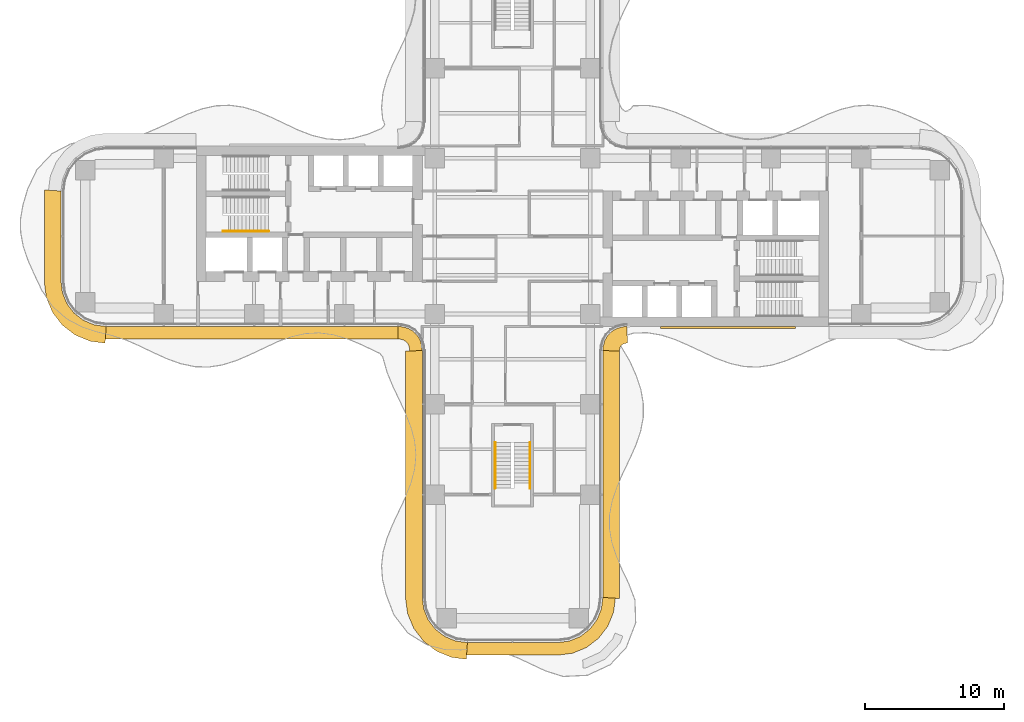
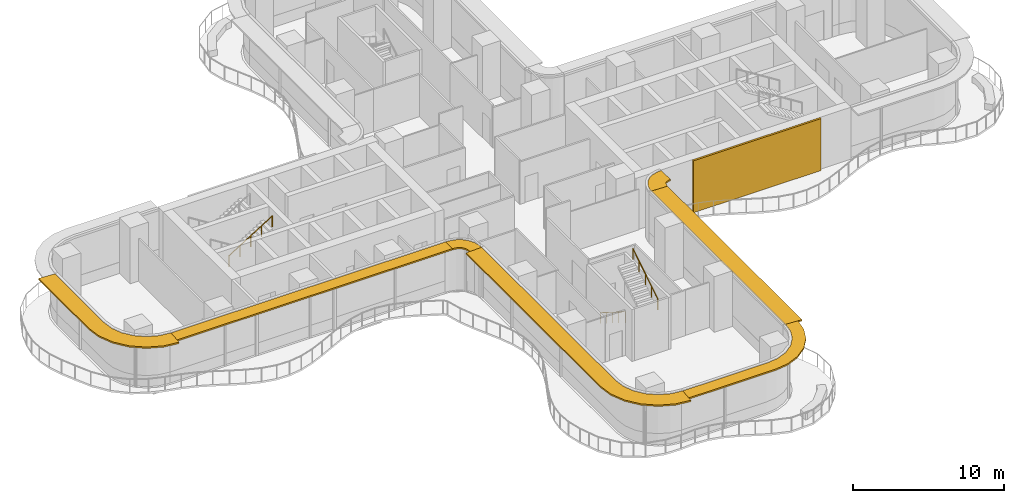
# One storey, part 21 of 22: 7 shading devices, 3 railings, 1 covering.
"""IFC4 building model written with IfcOpenShell, lengths in metres."""

from ifc_helpers import new_model, si_unit, direction, frame, origin, origin_2d, place, context, subcontext, project, spatial, polyline, circle, outline, extrude, source, transform, mapped, material, layer, layer_set, type_object, element, save


model = new_model("IFC4")

# Units and contexts
model_context = context("Model", 3, precision=1e-05, world=origin(), true_north=direction((0.0, 1.0)))
body_context = subcontext(model_context, "Body", "Model", "MODEL_VIEW")
ifc_project = project(units=[si_unit("LENGTHUNIT", "METRE"), si_unit("AREAUNIT", "SQUARE_METRE"), si_unit("VOLUMEUNIT", "CUBIC_METRE"), si_unit("PLANEANGLEUNIT", "RADIAN"), si_unit("MASSUNIT", "GRAM", prefix="KILO")], contexts=[model_context])

# Site, building, storey
site_placement = place(None, origin())
site = spatial("IfcSite", under=ifc_project, at=site_placement, CompositionType="ELEMENT")
building_placement = place(site_placement, origin())
building = spatial("IfcBuilding", under=site, at=building_placement, Name="Trellis Farm Tower", CompositionType="ELEMENT")
storey_placement = place(building_placement, frame((0.0, 0.0, 88.0)))
storey = spatial("IfcBuildingStorey", under=building, at=storey_placement, Name="L18", CompositionType="ELEMENT", Elevation=88.0)

# Covering
ifc_material_1 = material(Name="Perforated precast screen (cobogo)", Category="concrete")
ifc_layer_1 = layer(ifc_material_1, 0.14990234375)
ifc_layer_set_1 = layer_set([ifc_layer_1], Name="COBOGO SCREEN PANEL")
covering_type = type_object("IfcCoveringType", Name="COBOGO SCREEN PANEL", PredefinedType="USERDEFINED", material=ifc_layer_set_1)
covering_placement = place(storey_placement, origin())
element("IfcCovering", 1, at=covering_placement, inside=storey, type_object=covering_type, Name="SC1 01", ObjectType="SCREEN", PredefinedType="USERDEFINED", context=body_context, shape_type="SweptSolid", body=[
    extrude(outline(polyline([(10.630615234375, -6.64990234375), (20.380615234375, -6.64990234375), (20.380615234375, -6.5), (10.630615234375, -6.5), (10.630615234375, -6.64990234375)])), origin(), (0.0, 0.0, 1.0), 4.199951171875),
])

# Railings
ifc_material_2 = material(Name="Stainless steel", Category="steel")
railing_type = type_object("IfcRailingType", Name="STAIR HANDRAIL 900", PredefinedType="HANDRAIL", material=ifc_material_2)
shared_shape_1 = source(origin(), body_context, "Body", "SweptSolid", [
    extrude(circle(Radius=0.02392578125, at=origin_2d()), frame((0.0, 0.0, 0.8759765625), z_axis=(0.0, 0.846319618018, 0.532675421018), x_axis=(-1.0, 0.0, 0.0)), (0.0, 0.0, 1.0), 3.89892578125),
    extrude(circle(Radius=0.02099609375, at=origin_2d()), origin(), (0.0, 0.0, 1.0), 0.851806640625),
    extrude(circle(Radius=0.02099609375, at=origin_2d()), frame((0.0, 0.824951171875, 0.519287109375)), (0.0, 0.0, 1.0), 0.851806640625),
    extrude(circle(Radius=0.02099609375, at=origin_2d()), frame((0.0, 1.64990234375, 1.03857421875)), (0.0, 0.0, 1.0), 0.851806640625),
    extrude(circle(Radius=0.02099609375, at=origin_2d()), frame((0.0, 2.474853515625, 1.5576171875)), (0.0, 0.0, 1.0), 0.851806640625),
    extrude(circle(Radius=0.02099609375, at=origin_2d()), frame((0.0, 3.2998046875, 2.076904296875)), (0.0, 0.0, 1.0), 0.851806640625),
])
railing_1_placement = place(storey_placement, frame((1.25, -18.14990234375, 2.423095703125)))
element("IfcRailing", 2, at=railing_1_placement, inside=storey, type_object=railing_type, Name="Stair handrail", PredefinedType="HANDRAIL", context=body_context, shape_type="MappedRepresentation", body=[
    mapped(shared_shape_1, transform((0.0, 0.0, 0.0))),
])
shared_shape_2 = source(origin(), body_context, "Body", "SweptSolid", [
    extrude(circle(Radius=0.02392578125, at=origin_2d()), frame((0.0, 0.0, 0.8759765625), z_axis=(0.0, -0.846319618018, 0.532675421018), x_axis=(1.0, 0.0, 0.0)), (0.0, 0.0, 1.0), 3.89892578125),
    extrude(circle(Radius=0.02099609375, at=origin_2d()), origin(), (0.0, 0.0, 1.0), 0.851806640625),
    extrude(circle(Radius=0.02099609375, at=origin_2d()), frame((0.0, -0.824951171875, 0.519287109375)), (0.0, 0.0, 1.0), 0.851806640625),
    extrude(circle(Radius=0.02099609375, at=origin_2d()), frame((0.0, -1.64990234375, 1.03857421875)), (0.0, 0.0, 1.0), 0.851806640625),
    extrude(circle(Radius=0.02099609375, at=origin_2d()), frame((0.0, -2.474853515625, 1.5576171875)), (0.0, 0.0, 1.0), 0.851806640625),
    extrude(circle(Radius=0.02099609375, at=origin_2d()), frame((0.0, -3.2998046875, 2.076904296875)), (0.0, 0.0, 1.0), 0.851806640625),
])
railing_2_placement = place(storey_placement, frame((-1.25, -14.85009765625, 0.173095703125)))
element("IfcRailing", 3, at=railing_2_placement, inside=storey, type_object=railing_type, Name="Stair handrail", PredefinedType="HANDRAIL", context=body_context, shape_type="MappedRepresentation", body=[
    mapped(shared_shape_2, transform((0.0, 0.0, 0.0))),
])
shared_shape_3 = source(origin(), body_context, "Body", "SweptSolid", [
    extrude(circle(Radius=0.02392578125, at=origin_2d()), frame((0.0, 0.0, 0.8759765625), z_axis=(0.846337383501, 0.0, 0.532647194011), x_axis=(0.0, 1.0, 0.0)), (0.0, 0.0, 1.0), 3.899169921875),
    extrude(circle(Radius=0.02099609375, at=origin_2d()), origin(), (0.0, 0.0, 1.0), 0.851806640625),
    extrude(circle(Radius=0.02099609375, at=origin_2d()), frame((0.824951171875, 0.0, 0.519287109375)), (0.0, 0.0, 1.0), 0.851806640625),
    extrude(circle(Radius=0.02099609375, at=origin_2d()), frame((1.64990234375, 0.0, 1.03857421875)), (0.0, 0.0, 1.0), 0.851806640625),
    extrude(circle(Radius=0.02099609375, at=origin_2d()), frame((2.47509765625, 0.0, 1.5576171875)), (0.0, 0.0, 1.0), 0.851806640625),
    extrude(circle(Radius=0.02099609375, at=origin_2d()), frame((3.300048828125, 0.0, 2.076904296875)), (0.0, 0.0, 1.0), 0.851806640625),
])
railing_3_placement = place(storey_placement, frame((-20.85009765625, 0.35009765625, 2.423095703125)))
element("IfcRailing", 4, at=railing_3_placement, inside=storey, type_object=railing_type, Name="Stair handrail", PredefinedType="HANDRAIL", context=body_context, shape_type="MappedRepresentation", body=[
    mapped(shared_shape_3, transform((0.0, 0.0, 0.0))),
])

# Shading devices
ifc_material_3 = material(Name="Aluminium extrusion 6063-T6", Category="aluminium")
ifc_layer_2 = layer(ifc_material_3, 0.1201171875)
ifc_layer_set_2 = layer_set([ifc_layer_2], Name="SUNSHADE BLADE 900")
shading_device_type_1 = type_object("IfcShadingDeviceType", Name="SUNSHADE BLADE 900", PredefinedType="USERDEFINED", material=ifc_layer_set_2)
shared_shape_4 = source(origin(), body_context, "Body", "SweptSolid", [
    extrude(outline(polyline([(-29.30908203125, -7.39990234375), (-8.2607421875, -7.39990234375), (-8.2314453125, -6.5), (-29.25, -6.5), (-29.30908203125, -7.39990234375)])), origin(), (0.0, 0.0, 1.0), 0.119873046875),
])
placement = place(storey_placement, frame((0.0, 0.0, 4.0400390625)))
element("IfcShadingDevice", 5, at=placement, inside=storey, type_object=shading_device_type_1, Name="SD1 001", ObjectType="SUNSHADE", PredefinedType="USERDEFINED", context=body_context, shape_type="MappedRepresentation", body=[
    mapped(shared_shape_4, transform((0.0, 0.0, 0.0))),
])
shared_shape_5 = source(origin(), body_context, "Body", "SweptSolid", [
    extrude(outline(polyline([(-8.2607421875, -7.39990234375), (-8.107666015625, -7.409912109375), (-8.091552734375, -7.412109375), (-7.85595703125, -7.475341796875), (-7.697021484375, -7.567138671875), (-7.567138671875, -7.697021484375), (-7.475341796875, -7.85595703125), (-7.412109375, -8.091552734375), (-7.409912109375, -8.107666015625), (-7.39990234375, -8.2607421875), (-6.5, -8.2314453125), (-6.513916015625, -8.01953125), (-6.527587890625, -7.91552734375), (-6.63671875, -7.508544921875), (-6.846923828125, -7.144287109375), (-7.144287109375, -6.846923828125), (-7.508544921875, -6.63671875), (-7.91552734375, -6.527587890625), (-8.01953125, -6.513916015625), (-8.2314453125, -6.5), (-8.2607421875, -7.39990234375)])), origin(), (0.0, 0.0, 1.0), 0.119873046875),
])
element("IfcShadingDevice", 6, at=placement, inside=storey, type_object=shading_device_type_1, Name="SD1 002", ObjectType="SUNSHADE", PredefinedType="USERDEFINED", context=body_context, shape_type="MappedRepresentation", body=[
    mapped(shared_shape_5, transform((0.0, 0.0, 0.0))),
])
ifc_layer_3 = layer(ifc_material_3, 0.1201171875)
ifc_layer_set_3 = layer_set([ifc_layer_3], Name="SUNSHADE BLADE 1200")
shading_device_type_2 = type_object("IfcShadingDeviceType", Name="SUNSHADE BLADE 1200", PredefinedType="USERDEFINED", material=ifc_layer_set_3)
shared_shape_6 = source(origin(), body_context, "Body", "SweptSolid", [
    extrude(outline(polyline([(-7.699951171875, -8.270751953125), (-7.699951171875, -26.07861328125), (-7.558349609375, -27.154541015625), (-7.11279296875, -28.230224609375), (-6.404052734375, -29.154052734375), (-5.480224609375, -29.86279296875), (-4.404541015625, -30.308349609375), (-3.32861328125, -30.449951171875), (-3.25, -29.25), (-4.091064453125, -29.13916015625), (-4.875, -28.814697265625), (-5.548095703125, -28.298095703125), (-6.064697265625, -27.625), (-6.38916015625, -26.841064453125), (-6.5, -26.0), (-6.5, -8.2314453125), (-7.699951171875, -8.270751953125)])), origin(), (0.0, 0.0, 1.0), 0.119873046875),
])
element("IfcShadingDevice", 7, at=placement, inside=storey, type_object=shading_device_type_2, Name="SD2 003", ObjectType="SUNSHADE", PredefinedType="USERDEFINED", context=body_context, shape_type="MappedRepresentation", body=[
    mapped(shared_shape_6, transform((0.0, 0.0, 0.0))),
])
shared_shape_7 = source(origin(), body_context, "Body", "SweptSolid", [
    extrude(outline(polyline([(-3.30908203125, -30.14990234375), (3.30908203125, -30.14990234375), (4.326171875, -30.01611328125), (5.328857421875, -29.600830078125), (6.18994140625, -28.93994140625), (6.850830078125, -28.078857421875), (7.26611328125, -27.076171875), (7.39990234375, -26.05908203125), (6.5, -26.0), (6.38916015625, -26.841064453125), (6.064697265625, -27.625), (5.548095703125, -28.298095703125), (4.875, -28.814697265625), (4.091064453125, -29.13916015625), (3.25, -29.25), (-3.25, -29.25), (-3.30908203125, -30.14990234375)])), origin(), (0.0, 0.0, 1.0), 0.119873046875),
])
element("IfcShadingDevice", 8, at=placement, inside=storey, type_object=shading_device_type_1, Name="SD1 004", ObjectType="SUNSHADE", PredefinedType="USERDEFINED", context=body_context, shape_type="MappedRepresentation", body=[
    mapped(shared_shape_7, transform((0.0, 0.0, 0.0))),
])
shared_shape_8 = source(origin(), body_context, "Body", "SweptSolid", [
    extrude(outline(polyline([(7.699951171875, -26.07861328125), (7.699951171875, -8.270751953125), (6.5, -8.2314453125), (6.5, -26.0), (7.699951171875, -26.07861328125)])), origin(), (0.0, 0.0, 1.0), 0.119873046875),
])
element("IfcShadingDevice", 9, at=placement, inside=storey, type_object=shading_device_type_2, Name="SD2 005", ObjectType="SUNSHADE", PredefinedType="USERDEFINED", context=body_context, shape_type="MappedRepresentation", body=[
    mapped(shared_shape_8, transform((0.0, 0.0, 0.0))),
])
shared_shape_9 = source(origin(), body_context, "Body", "SweptSolid", [
    extrude(outline(polyline([(7.699951171875, -8.270751953125), (7.708740234375, -8.13720703125), (7.70703125, -8.150146484375), (7.7548828125, -7.9716796875), (7.80712890625, -7.881103515625), (7.881103515625, -7.80712890625), (7.9716796875, -7.7548828125), (8.150146484375, -7.70703125), (8.13720703125, -7.708740234375), (8.270751953125, -7.699951171875), (8.2314453125, -6.5), (8.01953125, -6.513916015625), (7.91552734375, -6.527587890625), (7.508544921875, -6.63671875), (7.144287109375, -6.846923828125), (6.846923828125, -7.144287109375), (6.63671875, -7.508544921875), (6.527587890625, -7.91552734375), (6.513916015625, -8.01953125), (6.5, -8.2314453125), (7.699951171875, -8.270751953125)])), origin(), (0.0, 0.0, 1.0), 0.119873046875),
])
element("IfcShadingDevice", 10, at=placement, inside=storey, type_object=shading_device_type_2, Name="SD2 006", ObjectType="SUNSHADE", PredefinedType="USERDEFINED", context=body_context, shape_type="MappedRepresentation", body=[
    mapped(shared_shape_9, transform((0.0, 0.0, 0.0))),
])
shared_shape_10 = source(origin(), body_context, "Body", "SweptSolid", [
    extrude(outline(polyline([(-33.699951171875, 3.32861328125), (-33.699951171875, -3.32861328125), (-33.558349609375, -4.404541015625), (-33.11279296875, -5.480224609375), (-32.404052734375, -6.404052734375), (-31.480224609375, -7.11279296875), (-30.404541015625, -7.558349609375), (-29.32861328125, -7.699951171875), (-29.25, -6.5), (-30.091064453125, -6.38916015625), (-30.875, -6.064697265625), (-31.548095703125, -5.548095703125), (-32.064697265625, -4.875), (-32.38916015625, -4.091064453125), (-32.5, -3.25), (-32.5, 3.25), (-33.699951171875, 3.32861328125)])), origin(), (0.0, 0.0, 1.0), 0.119873046875),
])
element("IfcShadingDevice", 11, at=placement, inside=storey, type_object=shading_device_type_2, Name="SD2 016", ObjectType="SUNSHADE", PredefinedType="USERDEFINED", context=body_context, shape_type="MappedRepresentation", body=[
    mapped(shared_shape_10, transform((0.0, 0.0, 0.0))),
])

save(model, "model.ifc")
